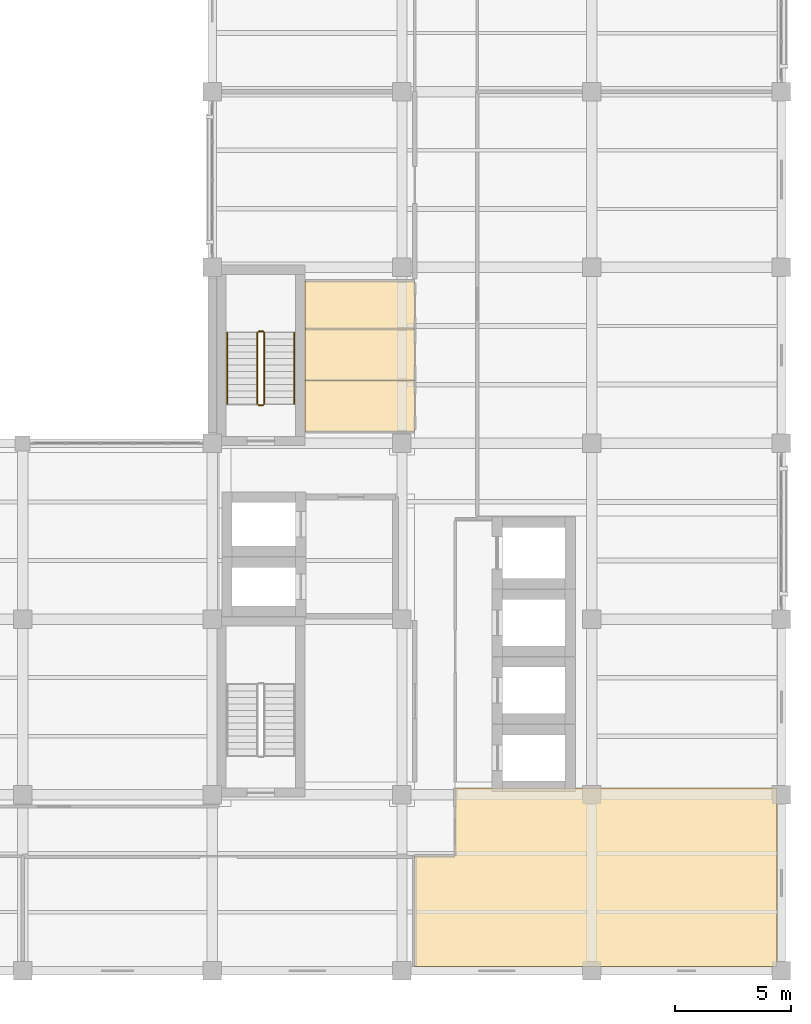
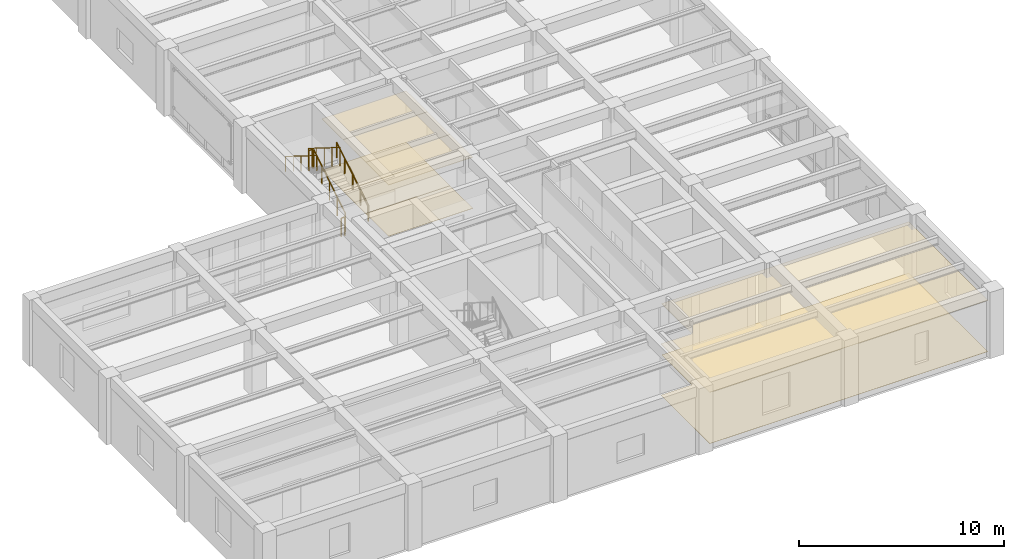
# One storey, part 12 of 13: 8 coverings, 6 railings.
"""IFC4 building model written with IfcOpenShell, lengths in metres."""

from ifc_helpers import new_model, si_unit, direction, frame, origin, origin_2d, place, context, subcontext, project, spatial, polyline, circle, outline, extrude, material, layer, layer_set, type_object, element, save


model = new_model("IFC4")

# Units and contexts
model_context = context("Model", 3, precision=1e-05, world=origin(), true_north=direction((0.0, 1.0)))
body_context = subcontext(model_context, "Body", "Model", "MODEL_VIEW")
ifc_project = project(units=[si_unit("LENGTHUNIT", "METRE"), si_unit("AREAUNIT", "SQUARE_METRE"), si_unit("VOLUMEUNIT", "CUBIC_METRE"), si_unit("PLANEANGLEUNIT", "RADIAN"), si_unit("MASSUNIT", "GRAM", prefix="KILO")], contexts=[model_context])

# Site, building, storey
site_placement = place(None, origin())
site = spatial("IfcSite", under=ifc_project, at=site_placement, CompositionType="ELEMENT")
building_placement = place(site_placement, origin())
building = spatial("IfcBuilding", under=site, at=building_placement, Name="Qandaris Square Conservatory and Botanical Centre", CompositionType="ELEMENT")
storey_placement = place(building_placement, frame((0.0, 0.0, 45.0)))
storey = spatial("IfcBuildingStorey", under=building, at=storey_placement, Name="L10", CompositionType="ELEMENT", Elevation=45.0)

# Coverings
ifc_material_1 = material(Name="Gypsum Plasterboard", Category="gypsum")
ifc_layer_1 = layer(ifc_material_1, 0.02490234375)
ifc_layer_set_1 = layer_set([ifc_layer_1], Name="Gypsum Plasterboard")
covering_type_1 = type_object("IfcCoveringType", Name="Perforated Acoustic Lab Ceiling Tile", PredefinedType="CEILING", material=ifc_layer_set_1)
covering_1_placement = place(storey_placement, frame((0.0, 0.0, 3.050048828125)))
element("IfcCovering", 1, at=covering_1_placement, inside=storey, type_object=covering_type_1, Name="Accessible Toilet L10 Ceiling", PredefinedType="CEILING", context=body_context, shape_type="SweptSolid", body=[
    extrude(outline(polyline([(147.949951171875, 42.1201171875), (147.949951171875, 39.89990234375), (143.199951171875, 39.89990234375), (143.199951171875, 42.1201171875), (147.949951171875, 42.1201171875)])), origin(), (0.0, 0.0, 1.0), 0.02490234375),
])
covering_2_placement = place(storey_placement, frame((0.0, 0.0, 3.050048828125)))
element("IfcCovering", 2, at=covering_2_placement, inside=storey, type_object=covering_type_1, Name="Staff Male Toilet L10 Ceiling", PredefinedType="CEILING", context=body_context, shape_type="SweptSolid", body=[
    extrude(outline(polyline([(147.949951171875, 44.340087890625), (147.949951171875, 42.1201171875), (143.199951171875, 42.1201171875), (143.199951171875, 44.340087890625), (147.949951171875, 44.340087890625)])), origin(), (0.0, 0.0, 1.0), 0.02490234375),
])
covering_3_placement = place(storey_placement, frame((0.0, 0.0, 3.050048828125)))
element("IfcCovering", 3, at=covering_3_placement, inside=storey, type_object=covering_type_1, Name="Staff Female Toilet L10 Ceiling", PredefinedType="CEILING", context=body_context, shape_type="SweptSolid", body=[
    extrude(outline(polyline([(147.949951171875, 46.419921875), (147.949951171875, 44.340087890625), (143.199951171875, 44.340087890625), (143.199951171875, 46.419921875), (147.949951171875, 46.419921875)])), origin(), (0.0, 0.0, 1.0), 0.02490234375),
])
covering_4_placement = place(storey_placement, frame((0.0, 0.0, 3.050048828125)))
element("IfcCovering", 4, at=covering_4_placement, inside=storey, type_object=covering_type_1, Name="Floor L10 Instrument and Balance Room Ceiling", PredefinedType="CEILING", context=body_context, shape_type="SweptSolid", body=[
    extrude(outline(polyline([(147.949951171875, 21.550048828125), (149.699951171875, 21.550048828125), (149.699951171875, 23.699951171875), (149.699951171875, 24.5), (163.6201171875, 24.5), (163.6201171875, 16.780029296875), (147.949951171875, 16.780029296875), (147.949951171875, 21.550048828125)])), origin(), (0.0, 0.0, 1.0), 0.02490234375),
])
ifc_material_2 = material(Name="Epoxy Resin Screed", Category="finish")
ifc_layer_2 = layer(ifc_material_2, 0.014892578125)
ifc_layer_set_2 = layer_set([ifc_layer_2], Name="Epoxy Resin Screed")
covering_type_2 = type_object("IfcCoveringType", Name="Seamless Epoxy Laboratory Flooring", PredefinedType="FLOORING", material=ifc_layer_set_2)
covering_5_placement = place(storey_placement, origin())
element("IfcCovering", 5, at=covering_5_placement, inside=storey, type_object=covering_type_2, Name="Accessible Toilet L10 Flooring", PredefinedType="FLOORING", context=body_context, shape_type="SweptSolid", body=[
    extrude(outline(polyline([(147.949951171875, 42.1201171875), (147.949951171875, 39.89990234375), (143.199951171875, 39.89990234375), (143.199951171875, 42.1201171875), (147.949951171875, 42.1201171875)])), origin(), (0.0, 0.0, 1.0), 0.014892578125),
])
covering_6_placement = place(storey_placement, origin())
element("IfcCovering", 6, at=covering_6_placement, inside=storey, type_object=covering_type_2, Name="Staff Male Toilet L10 Flooring", PredefinedType="FLOORING", context=body_context, shape_type="SweptSolid", body=[
    extrude(outline(polyline([(147.949951171875, 44.340087890625), (147.949951171875, 42.1201171875), (143.199951171875, 42.1201171875), (143.199951171875, 44.340087890625), (147.949951171875, 44.340087890625)])), origin(), (0.0, 0.0, 1.0), 0.014892578125),
])
covering_7_placement = place(storey_placement, origin())
element("IfcCovering", 7, at=covering_7_placement, inside=storey, type_object=covering_type_2, Name="Staff Female Toilet L10 Flooring", PredefinedType="FLOORING", context=body_context, shape_type="SweptSolid", body=[
    extrude(outline(polyline([(147.949951171875, 46.419921875), (147.949951171875, 44.340087890625), (143.199951171875, 44.340087890625), (143.199951171875, 46.419921875), (147.949951171875, 46.419921875)])), origin(), (0.0, 0.0, 1.0), 0.014892578125),
])
covering_8_placement = place(storey_placement, origin())
element("IfcCovering", 8, at=covering_8_placement, inside=storey, type_object=covering_type_2, Name="Floor L10 Instrument and Balance Room Flooring", PredefinedType="FLOORING", context=body_context, shape_type="SweptSolid", body=[
    extrude(outline(polyline([(147.949951171875, 21.550048828125), (149.699951171875, 21.550048828125), (149.699951171875, 23.699951171875), (149.699951171875, 24.5), (163.6201171875, 24.5), (163.6201171875, 16.780029296875), (147.949951171875, 16.780029296875), (147.949951171875, 21.550048828125)])), origin(), (0.0, 0.0, 1.0), 0.014892578125),
])

# Railings
ifc_material_3 = material(Name="Stainless Steel", Category="steel")
railing_type_1 = type_object("IfcRailingType", Name="Stair Tubular Handrail 920mm", PredefinedType="HANDRAIL", material=ifc_material_3)
railing_1_placement = place(storey_placement, frame((142.75, 41.10009765625, 0.35009765625)))
element("IfcRailing", 9, at=railing_1_placement, inside=storey, type_object=railing_type_1, Name="L10 ST-2 stair handrail 1", PredefinedType="HANDRAIL", context=body_context, shape_type="SweptSolid", body=[
    extrude(circle(Radius=0.02392578125, at=origin_2d()), frame((0.0, 0.0, 0.89599609375), z_axis=(0.0, 0.848009633417, 0.529980812513), x_axis=(-1.0, 0.0, 0.0)), (0.0, 0.0, 1.0), 3.6318359375),
    extrude(circle(Radius=0.02099609375, at=origin_2d()), origin(), (0.0, 0.0, 1.0), 0.871826171875),
    extrude(circle(Radius=0.02099609375, at=origin_2d()), frame((0.0, 0.77001953125, 0.481201171875)), (0.0, 0.0, 1.0), 0.871826171875),
    extrude(circle(Radius=0.02099609375, at=origin_2d()), frame((0.0, 1.5400390625, 0.96240234375)), (0.0, 0.0, 1.0), 0.871826171875),
    extrude(circle(Radius=0.02099609375, at=origin_2d()), frame((0.0, 2.309814453125, 1.443603515625)), (0.0, 0.0, 1.0), 0.871826171875),
    extrude(circle(Radius=0.02099609375, at=origin_2d()), frame((0.0, 3.079833984375, 1.9248046875)), (0.0, 0.0, 1.0), 0.871826171875),
])
railing_2_placement = place(storey_placement, frame((139.85009765625, 44.179931640625, 2.449951171875)))
element("IfcRailing", 10, at=railing_2_placement, inside=storey, type_object=railing_type_1, Name="L10 ST-2 stair handrail 2", PredefinedType="HANDRAIL", context=body_context, shape_type="SweptSolid", body=[
    extrude(circle(Radius=0.02392578125, at=origin_2d()), frame((0.0, 0.0, 0.89599609375), z_axis=(0.0, -0.847979421464, 0.530029150871), x_axis=(1.0, 0.0, 0.0)), (0.0, 0.0, 1.0), 3.632080078125),
    extrude(circle(Radius=0.02099609375, at=origin_2d()), origin(), (0.0, 0.0, 1.0), 0.871826171875),
    extrude(circle(Radius=0.02099609375, at=origin_2d()), frame((0.0, -0.77001953125, 0.481201171875)), (0.0, 0.0, 1.0), 0.871826171875),
    extrude(circle(Radius=0.02099609375, at=origin_2d()), frame((0.0, -1.5400390625, 0.96240234375)), (0.0, 0.0, 1.0), 0.871826171875),
    extrude(circle(Radius=0.02099609375, at=origin_2d()), frame((0.0, -2.309814453125, 1.44384765625)), (0.0, 0.0, 1.0), 0.871826171875),
    extrude(circle(Radius=0.02099609375, at=origin_2d()), frame((0.0, -3.079833984375, 1.925048828125)), (0.0, 0.0, 1.0), 0.871826171875),
])
railing_type_2 = type_object("IfcRailingType", Name="Stairwell & Atrium Guardrail 1120mm", PredefinedType="GUARDRAIL", material=ifc_material_3)
railing_3_placement = place(storey_placement, frame((141.449951171875, 41.10009765625, 0.175048828125)))
element("IfcRailing", 11, at=railing_3_placement, inside=storey, type_object=railing_type_2, Name="L10 ST-2 stair guard 1", PredefinedType="GUARDRAIL", context=body_context, shape_type="SweptSolid", body=[
    extrude(circle(Radius=0.02392578125, at=origin_2d()), frame((0.0, 0.0, 1.09619140625), z_axis=(0.0, 0.847979421464, 0.530029150871), x_axis=(-1.0, 0.0, 0.0)), (0.0, 0.0, 1.0), 3.632080078125),
    extrude(circle(Radius=0.02099609375, at=origin_2d()), origin(), (0.0, 0.0, 1.0), 1.072021484375),
    extrude(circle(Radius=0.02099609375, at=origin_2d()), frame((0.0, 0.77001953125, 0.481201171875)), (0.0, 0.0, 1.0), 1.072021484375),
    extrude(circle(Radius=0.02099609375, at=origin_2d()), frame((0.0, 1.5400390625, 0.96240234375)), (0.0, 0.0, 1.0), 1.072021484375),
    extrude(circle(Radius=0.02099609375, at=origin_2d()), frame((0.0, 2.309814453125, 1.44384765625)), (0.0, 0.0, 1.0), 1.072021484375),
    extrude(circle(Radius=0.02099609375, at=origin_2d()), frame((0.0, 3.079833984375, 1.925048828125)), (0.0, 0.0, 1.0), 1.072021484375),
])
railing_4_placement = place(storey_placement, frame((141.39990234375, 44.22998046875, 2.10009765625)))
element("IfcRailing", 12, at=railing_4_placement, inside=storey, type_object=railing_type_2, Name="L10 ST-2 stair guard 2", PredefinedType="GUARDRAIL", context=body_context, shape_type="SweptSolid", body=[
    extrude(circle(Radius=0.02392578125, at=origin_2d()), frame((0.0, 0.0, 1.09619140625), z_axis=(-1.0, 0.0, 0.0), x_axis=(0.0, -1.0, 0.0)), (0.0, 0.0, 1.0), 0.199951171875),
    extrude(circle(Radius=0.02099609375, at=origin_2d()), origin(), (0.0, 0.0, 1.0), 1.072021484375),
    extrude(circle(Radius=0.02099609375, at=origin_2d()), frame((-0.199951171875, 0.0, 0.0)), (0.0, 0.0, 1.0), 1.072021484375),
])
railing_5_placement = place(storey_placement, frame((141.14990234375, 44.179931640625, 2.27490234375)))
element("IfcRailing", 13, at=railing_5_placement, inside=storey, type_object=railing_type_2, Name="L10 ST-2 stair guard 3", PredefinedType="GUARDRAIL", context=body_context, shape_type="SweptSolid", body=[
    extrude(circle(Radius=0.02392578125, at=origin_2d()), frame((0.0, 0.0, 1.09619140625), z_axis=(0.0, -0.847979421464, 0.530029150871), x_axis=(1.0, 0.0, 0.0)), (0.0, 0.0, 1.0), 3.632080078125),
    extrude(circle(Radius=0.02099609375, at=origin_2d()), origin(), (0.0, 0.0, 1.0), 1.072021484375),
    extrude(circle(Radius=0.02099609375, at=origin_2d()), frame((0.0, -0.77001953125, 0.481201171875)), (0.0, 0.0, 1.0), 1.072021484375),
    extrude(circle(Radius=0.02099609375, at=origin_2d()), frame((0.0, -1.5400390625, 0.96240234375)), (0.0, 0.0, 1.0), 1.072021484375),
    extrude(circle(Radius=0.02099609375, at=origin_2d()), frame((0.0, -2.309814453125, 1.44384765625)), (0.0, 0.0, 1.0), 1.072021484375),
    extrude(circle(Radius=0.02099609375, at=origin_2d()), frame((0.0, -3.079833984375, 1.925048828125)), (0.0, 0.0, 1.0), 1.072021484375),
])
railing_6_placement = place(storey_placement, frame((141.39990234375, 41.050048828125, 0.0)))
element("IfcRailing", 14, at=railing_6_placement, inside=storey, type_object=railing_type_2, Name="L10 ST-2 stair guard 4", PredefinedType="GUARDRAIL", context=body_context, shape_type="SweptSolid", body=[
    extrude(circle(Radius=0.02392578125, at=origin_2d()), frame((0.0, 0.0, 1.09619140625), z_axis=(-1.0, 0.0, 0.0), x_axis=(0.0, -1.0, 0.0)), (0.0, 0.0, 1.0), 0.199951171875),
    extrude(circle(Radius=0.02099609375, at=origin_2d()), origin(), (0.0, 0.0, 1.0), 1.072021484375),
    extrude(circle(Radius=0.02099609375, at=origin_2d()), frame((-0.199951171875, 0.0, 0.0)), (0.0, 0.0, 1.0), 1.072021484375),
])

save(model, "model.ifc")
